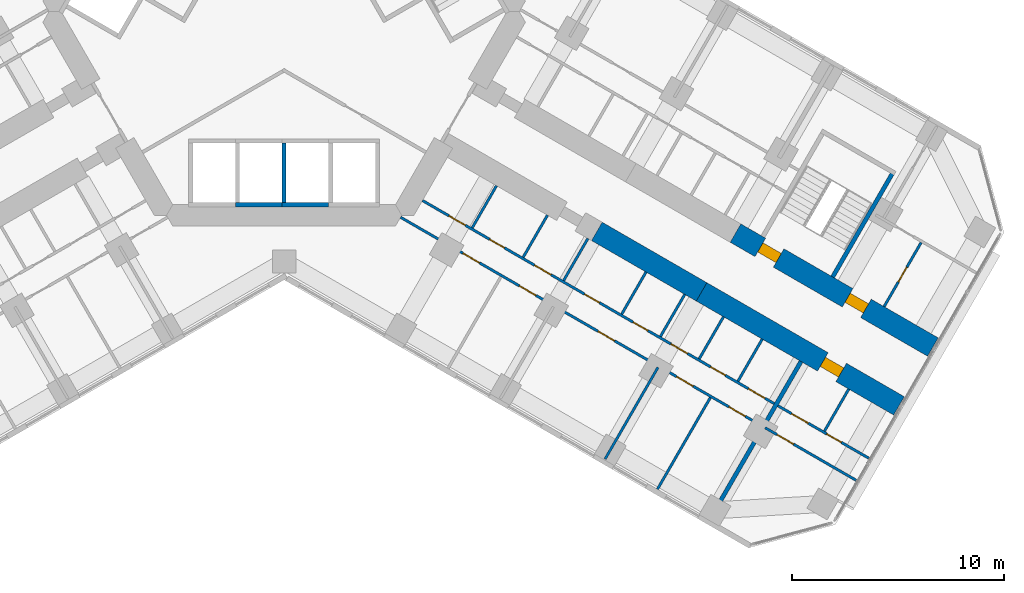
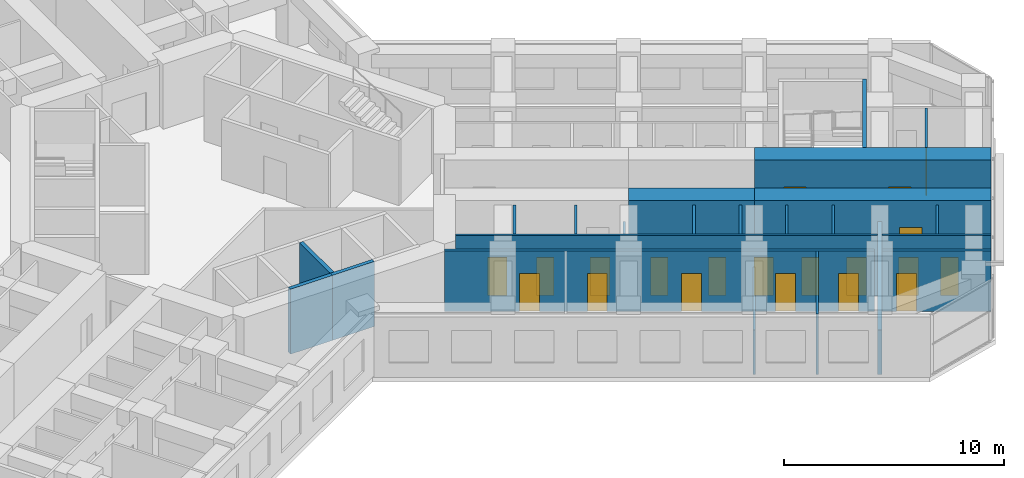
# One storey, part 12 of 18: 23 walls, 20 doors, 20 openings.
"""IFC4 building model written with IfcOpenShell, lengths in metres."""

from ifc_helpers import new_model, si_unit, direction, frame, frame_2d, origin, place, context, subcontext, project, spatial, rectangle, extrude, material, layer, layer_set, type_object, element, fill, save


model = new_model("IFC4")

# Units and contexts
model_context = context("Model", 3, precision=1e-05, world=origin(), true_north=direction((0.0, 1.0)))
body_context = subcontext(model_context, "Body", "Model", "MODEL_VIEW")
ifc_project = project(units=[si_unit("LENGTHUNIT", "METRE"), si_unit("AREAUNIT", "SQUARE_METRE"), si_unit("VOLUMEUNIT", "CUBIC_METRE"), si_unit("PLANEANGLEUNIT", "RADIAN"), si_unit("MASSUNIT", "GRAM", prefix="KILO")], contexts=[model_context])

# Site, building, storey
site_placement = place(None, origin())
site = spatial("IfcSite", under=ifc_project, at=site_placement, CompositionType="ELEMENT")
building_placement = place(site_placement, origin())
building = spatial("IfcBuilding", under=site, at=building_placement, Name="Kosmar Iwan School Tower", CompositionType="ELEMENT")
storey_placement = place(building_placement, frame((0.0, 0.0, 25.199951171875)))
storey = spatial("IfcBuildingStorey", under=building, at=storey_placement, Name="L05", CompositionType="ELEMENT", Elevation=25.199951171875)

# Wall, openings, doors
ifc_material_1 = material(Name="Concrete C50/60", Category="concrete")
ifc_layer_1 = layer(ifc_material_1, 1.0)
ifc_layer_set_1 = layer_set([ifc_layer_1], Name="Corridor buttress wall 1000")
wall_type_1 = type_object("IfcWallType", Name="Corridor buttress wall 1000", PredefinedType="SHEAR", material=ifc_layer_set_1)
wall_1_placement = place(storey_placement, frame((21.281494140625, -10.439453125, 0.0), z_axis=(0.0, 0.0, 1.0), x_axis=(0.866032345022, -0.499987977232, 0.0)))
wall_1 = element("IfcWall", 1, at=wall_1_placement, inside=storey, type_object=wall_type_1, Name="Corridor wall CL bay 3", PredefinedType="SHEAR", context=body_context, shape_type="SweptSolid", body=[
    extrude(rectangle(XDim=10.744873046875, YDim=1.0, at=frame_2d((5.37255859375, 0.0))), origin(), (0.0, 0.0, 1.0), 3.60009765625),
])
opening_1_placement = place(wall_1_placement, frame((6.10009765625, 0.0, 0.0)))
opening_1 = element("IfcOpeningElement", 2, at=opening_1_placement, cuts=wall_1, Name="Opening D1", PredefinedType="OPENING", context=body_context, shape_type="SweptSolid", body=[
    extrude(rectangle(XDim=1.0, YDim=2.10009765625, at=frame_2d((0.5, 1.050048828125))), frame((0.0, 0.511962890625, 0.0), z_axis=(0.0, -1.0, 0.0), x_axis=(1.0, 0.0, 0.0)), (0.0, 0.0, 1.0), 1.02392578125),
])
opening_2_placement = place(wall_1_placement, frame((1.35009765625, 0.0, 0.0)))
opening_2 = element("IfcOpeningElement", 3, at=opening_2_placement, cuts=wall_1, Name="Opening D6", PredefinedType="OPENING", context=body_context, shape_type="SweptSolid", body=[
    extrude(rectangle(XDim=1.0, YDim=2.10009765625, at=frame_2d((0.5, 1.050048828125))), frame((0.0, 0.511962890625, 0.0), z_axis=(0.0, -1.0, 0.0), x_axis=(1.0, 0.0, 0.0)), (0.0, 0.0, 1.0), 1.02392578125),
])
ifc_material_2 = material(Name="Timber fire door in steel frame", Category="steel")
door_type_1 = type_object("IfcDoorType", Name="Flat entrance door 1000x2100", OperationType="SINGLE_SWING_LEFT", PredefinedType="DOOR", material=ifc_material_2)
door_1_placement = place(opening_1_placement, origin())
door_1 = element("IfcDoor", 4, at=door_1_placement, inside=storey, type_object=door_type_1, Name="Flat L05-CL2 entrance door", OperationType="SINGLE_SWING_RIGHT", OverallHeight=2.10009765625, OverallWidth=1.0, PredefinedType="DOOR", context=body_context, shape_type="SweptSolid", body=[
    extrude(rectangle(XDim=1.0, YDim=2.10009765625, at=frame_2d((0.5, 1.050048828125))), frame((0.0, 0.25, 0.0), z_axis=(0.0, -1.0, 0.0), x_axis=(1.0, 0.0, 0.0)), (0.0, 0.0, 1.0), 0.5),
])
fill(opening_1, door_1)
ifc_material_3 = material(Name="Steel fire door", Category="steel")
door_type_2 = type_object("IfcDoorType", Name="Stair door 1000x2100", OperationType="SINGLE_SWING_LEFT", PredefinedType="DOOR", material=ifc_material_3)
door_2_placement = place(opening_2_placement, origin())
door_2 = element("IfcDoor", 5, at=door_2_placement, inside=storey, type_object=door_type_2, Name="Stair WS3 door L05", OperationType="SINGLE_SWING_LEFT", OverallHeight=2.10009765625, OverallWidth=1.0, PredefinedType="DOOR", context=body_context, shape_type="SweptSolid", body=[
    extrude(rectangle(XDim=1.0, YDim=2.10009765625, at=frame_2d((0.5, 1.050048828125))), frame((0.0, 0.25, 0.0), z_axis=(0.0, -1.0, 0.0), x_axis=(1.0, 0.0, 0.0)), (0.0, 0.0, 1.0), 0.5),
])
fill(opening_2, door_2)

# Wall
wall_2_placement = place(storey_placement, frame((14.7451171875, -10.360595703125, 0.0), z_axis=(0.0, 0.0, 1.0), x_axis=(0.866015111908, -0.50001782563, 0.0)))
element("IfcWall", 6, at=wall_2_placement, inside=storey, type_object=wall_type_1, Name="Corridor wall CR bay 2", PredefinedType="SHEAR", context=body_context, shape_type="SweptSolid", body=[
    extrude(rectangle(XDim=5.699951171875, YDim=1.0, at=frame_2d((2.85009765625, 0.0))), origin(), (0.0, 0.0, 1.0), 3.60009765625),
])

# Wall, opening, door
wall_3_placement = place(storey_placement, frame((19.681396484375, -13.210693359375, 0.0), z_axis=(0.0, 0.0, 1.0), x_axis=(0.866028186671, -0.499995179869, 0.0)))
wall_3 = element("IfcWall", 7, at=wall_3_placement, inside=storey, type_object=wall_type_1, Name="Corridor wall CR bay 3", PredefinedType="SHEAR", context=body_context, shape_type="SweptSolid", body=[
    extrude(rectangle(XDim=10.7451171875, YDim=1.0, at=frame_2d((5.37255859375, 0.0))), origin(), (0.0, 0.0, 1.0), 3.60009765625),
])
opening_3_placement = place(wall_3_placement, frame((6.60009765625, 0.0, 0.0)))
opening_3 = element("IfcOpeningElement", 8, at=opening_3_placement, cuts=wall_3, Name="Opening D1", PredefinedType="OPENING", context=body_context, shape_type="SweptSolid", body=[
    extrude(rectangle(XDim=1.0, YDim=2.10009765625, at=frame_2d((0.5, 1.050048828125))), frame((0.0, 0.511962890625, 0.0), z_axis=(0.0, -1.0, 0.0), x_axis=(1.0, 0.0, 0.0)), (0.0, 0.0, 1.0), 1.02392578125),
])
door_3_placement = place(opening_3_placement, origin())
door_3 = element("IfcDoor", 9, at=door_3_placement, inside=storey, type_object=door_type_1, Name="Flat L05-CR2 entrance door", OperationType="SINGLE_SWING_RIGHT", OverallHeight=2.10009765625, OverallWidth=1.0, PredefinedType="DOOR", context=body_context, shape_type="SweptSolid", body=[
    extrude(rectangle(XDim=1.0, YDim=2.10009765625, at=frame_2d((0.5, 1.050048828125))), frame((0.0, 0.25, 0.0), z_axis=(0.0, -1.0, 0.0), x_axis=(1.0, 0.0, 0.0)), (0.0, 0.0, 1.0), 0.5),
])
fill(opening_3, door_3)

ifc_material_4 = material(Name="Gypsum board on steel studs", Category="steel")
ifc_layer_2 = layer(ifc_material_4, 0.1201171875)
ifc_layer_set_2 = layer_set([ifc_layer_2], Name="Dwelling partition 120")
wall_type_2 = type_object("IfcWallType", Name="Dwelling partition 120", PredefinedType="PARTITIONING", material=ifc_layer_set_2)
wall_4_placement = place(storey_placement, frame((28.286376953125, -13.90625, 0.0), z_axis=(0.0, 0.0, 1.0), x_axis=(0.50002117804, 0.866013176292, 0.0)))
wall_4 = element("IfcWall", 10, at=wall_4_placement, inside=storey, type_object=wall_type_2, Name="Partition L05-CL2-TY", PredefinedType="PARTITIONING", context=body_context, shape_type="SweptSolid", body=[
    extrude(rectangle(XDim=3.489990234375, YDim=0.1201171875, at=frame_2d((1.7451171875, 0.0))), origin(), (0.0, 0.0, 1.0), 3.35009765625),
])
opening_4_placement = place(wall_4_placement, frame((1.344970703125, 0.0, 0.0)))
opening_4 = element("IfcOpeningElement", 11, at=opening_4_placement, cuts=wall_4, Name="Opening D3", PredefinedType="OPENING", context=body_context, shape_type="SweptSolid", body=[
    extrude(rectangle(XDim=0.800048828125, YDim=2.10009765625, at=frame_2d((0.39990234375, 1.050048828125))), frame((0.0, 0.072021484375, 0.0), z_axis=(0.0, -1.0, 0.0), x_axis=(1.0, 0.0, 0.0)), (0.0, 0.0, 1.0), 0.14404296875),
])
ifc_material_5 = material(Name="Timber door in timber frame", Category="wood")
door_type_3 = type_object("IfcDoorType", Name="Sanitary room door 800x2100", OperationType="SINGLE_SWING_LEFT", PredefinedType="DOOR", material=ifc_material_5)
door_4_placement = place(opening_4_placement, origin())
door_4 = element("IfcDoor", 12, at=door_4_placement, inside=storey, type_object=door_type_3, Name="Bathroom door L05-CL2-T4", OperationType="SINGLE_SWING_LEFT", OverallHeight=2.10009765625, OverallWidth=0.800048828125, PredefinedType="DOOR", context=body_context, shape_type="SweptSolid", body=[
    extrude(rectangle(XDim=0.800048828125, YDim=2.10009765625, at=frame_2d((0.39990234375, 1.050048828125))), frame((0.0, 0.02490234375, 0.0), z_axis=(0.0, -1.0, 0.0), x_axis=(1.0, 0.0, 0.0)), (0.0, 0.0, 1.0), 0.050048828125),
])
fill(opening_4, door_4)

# Wall, openings, doors
wall_5_placement = place(storey_placement, frame((6.521728515625, -8.90380859375, 0.0), z_axis=(0.0, 0.0, 1.0), x_axis=(0.866027632837, -0.499996139147, 0.0)))
wall_5 = element("IfcWall", 13, at=wall_5_placement, inside=storey, type_object=wall_type_2, Name="Partition L05-CR1-W1", PredefinedType="PARTITIONING", context=body_context, shape_type="SweptSolid", body=[
    extrude(rectangle(XDim=19.150146484375, YDim=0.1201171875, at=frame_2d((9.5751953125, 0.0))), origin(), (0.0, 0.0, 1.0), 3.35009765625),
])
opening_5_placement = place(wall_5_placement, frame((1.4375, 0.0, 0.0)))
opening_5 = element("IfcOpeningElement", 14, at=opening_5_placement, cuts=wall_5, Name="Opening D2", PredefinedType="OPENING", context=body_context, shape_type="SweptSolid", body=[
    extrude(rectangle(XDim=0.89990234375, YDim=2.10009765625, at=frame_2d((0.449951171875, 1.050048828125))), frame((0.0, 0.072021484375, 0.0), z_axis=(0.0, -1.0, 0.0), x_axis=(1.0, 0.0, 0.0)), (0.0, 0.0, 1.0), 0.14404296875),
])
opening_6_placement = place(wall_5_placement, frame((3.66259765625, 0.0, 0.0)))
opening_6 = element("IfcOpeningElement", 15, at=opening_6_placement, cuts=wall_5, Name="Opening D3", PredefinedType="OPENING", context=body_context, shape_type="SweptSolid", body=[
    extrude(rectangle(XDim=0.800048828125, YDim=2.10009765625, at=frame_2d((0.39990234375, 1.050048828125))), frame((0.0, 0.072021484375, 0.0), z_axis=(0.0, -1.0, 0.0), x_axis=(1.0, 0.0, 0.0)), (0.0, 0.0, 1.0), 0.14404296875),
])
opening_7_placement = place(wall_5_placement, frame((6.10009765625, 0.0, 0.0)))
opening_7 = element("IfcOpeningElement", 16, at=opening_7_placement, cuts=wall_5, Name="Opening D2", PredefinedType="OPENING", context=body_context, shape_type="SweptSolid", body=[
    extrude(rectangle(XDim=0.89990234375, YDim=2.10009765625, at=frame_2d((0.449951171875, 1.050048828125))), frame((0.0, 0.072021484375, 0.0), z_axis=(0.0, -1.0, 0.0), x_axis=(1.0, 0.0, 0.0)), (0.0, 0.0, 1.0), 0.14404296875),
])
opening_8_placement = place(wall_5_placement, frame((8.831787109375, 0.0, 0.0)))
opening_8 = element("IfcOpeningElement", 17, at=opening_8_placement, cuts=wall_5, Name="Opening D3", PredefinedType="OPENING", context=body_context, shape_type="SweptSolid", body=[
    extrude(rectangle(XDim=0.800048828125, YDim=2.10009765625, at=frame_2d((0.39990234375, 1.050048828125))), frame((0.0, 0.072021484375, 0.0), z_axis=(0.0, -1.0, 0.0), x_axis=(1.0, 0.0, 0.0)), (0.0, 0.0, 1.0), 0.14404296875),
])
opening_9_placement = place(wall_5_placement, frame((11.46826171875, 0.0, 0.0)))
opening_9 = element("IfcOpeningElement", 18, at=opening_9_placement, cuts=wall_5, Name="Opening D3", PredefinedType="OPENING", context=body_context, shape_type="SweptSolid", body=[
    extrude(rectangle(XDim=0.800048828125, YDim=2.10009765625, at=frame_2d((0.39990234375, 1.050048828125))), frame((0.0, 0.072021484375, 0.0), z_axis=(0.0, -1.0, 0.0), x_axis=(1.0, 0.0, 0.0)), (0.0, 0.0, 1.0), 0.14404296875),
])
opening_10_placement = place(wall_5_placement, frame((13.52734375, 0.0, 0.0)))
opening_10 = element("IfcOpeningElement", 19, at=opening_10_placement, cuts=wall_5, Name="Opening D2", PredefinedType="OPENING", context=body_context, shape_type="SweptSolid", body=[
    extrude(rectangle(XDim=0.89990234375, YDim=2.10009765625, at=frame_2d((0.449951171875, 1.050048828125))), frame((0.0, 0.072021484375, 0.0), z_axis=(0.0, -1.0, 0.0), x_axis=(1.0, 0.0, 0.0)), (0.0, 0.0, 1.0), 0.14404296875),
])
opening_11_placement = place(wall_5_placement, frame((15.686279296875, 0.0, 0.0)))
opening_11 = element("IfcOpeningElement", 20, at=opening_11_placement, cuts=wall_5, Name="Opening D3", PredefinedType="OPENING", context=body_context, shape_type="SweptSolid", body=[
    extrude(rectangle(XDim=0.800048828125, YDim=2.10009765625, at=frame_2d((0.39990234375, 1.050048828125))), frame((0.0, 0.072021484375, 0.0), z_axis=(0.0, -1.0, 0.0), x_axis=(1.0, 0.0, 0.0)), (0.0, 0.0, 1.0), 0.14404296875),
])
opening_12_placement = place(wall_5_placement, frame((17.745361328125, 0.0, 0.0)))
opening_12 = element("IfcOpeningElement", 21, at=opening_12_placement, cuts=wall_5, Name="Opening D2", PredefinedType="OPENING", context=body_context, shape_type="SweptSolid", body=[
    extrude(rectangle(XDim=0.89990234375, YDim=2.10009765625, at=frame_2d((0.449951171875, 1.050048828125))), frame((0.0, 0.072021484375, 0.0), z_axis=(0.0, -1.0, 0.0), x_axis=(1.0, 0.0, 0.0)), (0.0, 0.0, 1.0), 0.14404296875),
])
ifc_material_6 = material(Name="Timber door in timber frame", Category="wood")
door_type_4 = type_object("IfcDoorType", Name="Internal door 900x2100", OperationType="SINGLE_SWING_LEFT", PredefinedType="DOOR", material=ifc_material_6)
door_5_placement = place(opening_5_placement, origin())
door_5 = element("IfcDoor", 22, at=door_5_placement, inside=storey, type_object=door_type_4, Name="Dressing room door L05-CR1-S1", OperationType="SINGLE_SWING_RIGHT", OverallHeight=2.10009765625, OverallWidth=0.89990234375, PredefinedType="DOOR", context=body_context, shape_type="SweptSolid", body=[
    extrude(rectangle(XDim=0.89990234375, YDim=2.10009765625, at=frame_2d((0.449951171875, 1.050048828125))), frame((0.0, 0.02490234375, 0.0), z_axis=(0.0, -1.0, 0.0), x_axis=(1.0, 0.0, 0.0)), (0.0, 0.0, 1.0), 0.050048828125),
])
fill(opening_5, door_5)
door_6_placement = place(opening_7_placement, origin())
door_6 = element("IfcDoor", 23, at=door_6_placement, inside=storey, type_object=door_type_4, Name="Entrance hall door L05-CR1-S3", OperationType="SINGLE_SWING_RIGHT", OverallHeight=2.10009765625, OverallWidth=0.89990234375, PredefinedType="DOOR", context=body_context, shape_type="SweptSolid", body=[
    extrude(rectangle(XDim=0.89990234375, YDim=2.10009765625, at=frame_2d((0.449951171875, 1.050048828125))), frame((0.0, 0.02490234375, 0.0), z_axis=(0.0, -1.0, 0.0), x_axis=(1.0, 0.0, 0.0)), (0.0, 0.0, 1.0), 0.050048828125),
])
fill(opening_7, door_6)
door_7_placement = place(opening_10_placement, origin())
door_7 = element("IfcDoor", 24, at=door_7_placement, inside=storey, type_object=door_type_4, Name="Pantry door L05-CR1-S6", OperationType="SINGLE_SWING_LEFT", OverallHeight=2.10009765625, OverallWidth=0.89990234375, PredefinedType="DOOR", context=body_context, shape_type="SweptSolid", body=[
    extrude(rectangle(XDim=0.89990234375, YDim=2.10009765625, at=frame_2d((0.449951171875, 1.050048828125))), frame((0.0, 0.02490234375, 0.0), z_axis=(0.0, -1.0, 0.0), x_axis=(1.0, 0.0, 0.0)), (0.0, 0.0, 1.0), 0.050048828125),
])
fill(opening_10, door_7)
door_8_placement = place(opening_12_placement, origin())
door_8 = element("IfcDoor", 25, at=door_8_placement, inside=storey, type_object=door_type_4, Name="Utility room door L05-CR1-S8", OperationType="SINGLE_SWING_RIGHT", OverallHeight=2.10009765625, OverallWidth=0.89990234375, PredefinedType="DOOR", context=body_context, shape_type="SweptSolid", body=[
    extrude(rectangle(XDim=0.89990234375, YDim=2.10009765625, at=frame_2d((0.449951171875, 1.050048828125))), frame((0.0, 0.02490234375, 0.0), z_axis=(0.0, -1.0, 0.0), x_axis=(1.0, 0.0, 0.0)), (0.0, 0.0, 1.0), 0.050048828125),
])
fill(opening_12, door_8)
door_9_placement = place(opening_6_placement, origin())
door_9 = element("IfcDoor", 26, at=door_9_placement, inside=storey, type_object=door_type_3, Name="Store door L05-CR1-S2", OperationType="SINGLE_SWING_LEFT", OverallHeight=2.10009765625, OverallWidth=0.800048828125, PredefinedType="DOOR", context=body_context, shape_type="SweptSolid", body=[
    extrude(rectangle(XDim=0.800048828125, YDim=2.10009765625, at=frame_2d((0.39990234375, 1.050048828125))), frame((0.0, 0.02490234375, 0.0), z_axis=(0.0, -1.0, 0.0), x_axis=(1.0, 0.0, 0.0)), (0.0, 0.0, 1.0), 0.050048828125),
])
fill(opening_6, door_9)
door_10_placement = place(opening_8_placement, origin())
door_10 = element("IfcDoor", 27, at=door_10_placement, inside=storey, type_object=door_type_3, Name="Bathroom door L05-CR1-S4", OperationType="SINGLE_SWING_LEFT", OverallHeight=2.10009765625, OverallWidth=0.800048828125, PredefinedType="DOOR", context=body_context, shape_type="SweptSolid", body=[
    extrude(rectangle(XDim=0.800048828125, YDim=2.10009765625, at=frame_2d((0.39990234375, 1.050048828125))), frame((0.0, 0.02490234375, 0.0), z_axis=(0.0, -1.0, 0.0), x_axis=(1.0, 0.0, 0.0)), (0.0, 0.0, 1.0), 0.050048828125),
])
fill(opening_8, door_10)
door_11_placement = place(opening_9_placement, origin())
door_11 = element("IfcDoor", 28, at=door_11_placement, inside=storey, type_object=door_type_3, Name="Shower room door L05-CR1-S5", OperationType="SINGLE_SWING_RIGHT", OverallHeight=2.10009765625, OverallWidth=0.800048828125, PredefinedType="DOOR", context=body_context, shape_type="SweptSolid", body=[
    extrude(rectangle(XDim=0.800048828125, YDim=2.10009765625, at=frame_2d((0.39990234375, 1.050048828125))), frame((0.0, 0.02490234375, 0.0), z_axis=(0.0, -1.0, 0.0), x_axis=(1.0, 0.0, 0.0)), (0.0, 0.0, 1.0), 0.050048828125),
])
fill(opening_9, door_11)
door_12_placement = place(opening_11_placement, origin())
door_12 = element("IfcDoor", 29, at=door_12_placement, inside=storey, type_object=door_type_3, Name="WC door L05-CR1-S7", OperationType="SINGLE_SWING_RIGHT", OverallHeight=2.10009765625, OverallWidth=0.800048828125, PredefinedType="DOOR", context=body_context, shape_type="SweptSolid", body=[
    extrude(rectangle(XDim=0.800048828125, YDim=2.10009765625, at=frame_2d((0.39990234375, 1.050048828125))), frame((0.0, 0.02490234375, 0.0), z_axis=(0.0, -1.0, 0.0), x_axis=(1.0, 0.0, 0.0)), (0.0, 0.0, 1.0), 0.050048828125),
])
fill(opening_11, door_12)

wall_6_placement = place(storey_placement, frame((5.48876953125, -9.693115234375, 0.0), z_axis=(0.0, 0.0, 1.0), x_axis=(0.866024837091, -0.50000098154, 0.0)))
wall_6 = element("IfcWall", 30, at=wall_6_placement, inside=storey, type_object=wall_type_2, Name="Partition L05-CR1-W2", PredefinedType="PARTITIONING", context=body_context, shape_type="SweptSolid", body=[
    extrude(rectangle(XDim=19.5, YDim=0.1201171875, at=frame_2d((9.75, 0.0))), origin(), (0.0, 0.0, 1.0), 3.35009765625),
])
opening_13_placement = place(wall_6_placement, frame((3.39990234375, 0.0, 0.0)))
opening_13 = element("IfcOpeningElement", 31, at=opening_13_placement, cuts=wall_6, Name="Opening D2", PredefinedType="OPENING", context=body_context, shape_type="SweptSolid", body=[
    extrude(rectangle(XDim=0.89990234375, YDim=2.10009765625, at=frame_2d((0.449951171875, 1.050048828125))), frame((0.0, 0.072021484375, 0.0), z_axis=(0.0, -1.0, 0.0), x_axis=(1.0, 0.0, 0.0)), (0.0, 0.0, 1.0), 0.14404296875),
])
opening_14_placement = place(wall_6_placement, frame((6.47509765625, 0.0, 0.0)))
opening_14 = element("IfcOpeningElement", 32, at=opening_14_placement, cuts=wall_6, Name="Opening D2", PredefinedType="OPENING", context=body_context, shape_type="SweptSolid", body=[
    extrude(rectangle(XDim=0.89990234375, YDim=2.10009765625, at=frame_2d((0.449951171875, 1.050048828125))), frame((0.0, 0.072021484375, 0.0), z_axis=(0.0, -1.0, 0.0), x_axis=(1.0, 0.0, 0.0)), (0.0, 0.0, 1.0), 0.14404296875),
])
opening_15_placement = place(wall_6_placement, frame((10.75, 0.0, 0.0)))
opening_15 = element("IfcOpeningElement", 33, at=opening_15_placement, cuts=wall_6, Name="Opening D2", PredefinedType="OPENING", context=body_context, shape_type="SweptSolid", body=[
    extrude(rectangle(XDim=0.89990234375, YDim=2.10009765625, at=frame_2d((0.449951171875, 1.050048828125))), frame((0.0, 0.072021484375, 0.0), z_axis=(0.0, -1.0, 0.0), x_axis=(1.0, 0.0, 0.0)), (0.0, 0.0, 1.0), 0.14404296875),
])
opening_16_placement = place(wall_6_placement, frame((15.02490234375, 0.0, 0.0)))
opening_16 = element("IfcOpeningElement", 34, at=opening_16_placement, cuts=wall_6, Name="Opening D2", PredefinedType="OPENING", context=body_context, shape_type="SweptSolid", body=[
    extrude(rectangle(XDim=0.89990234375, YDim=2.10009765625, at=frame_2d((0.449951171875, 1.050048828125))), frame((0.0, 0.072021484375, 0.0), z_axis=(0.0, -1.0, 0.0), x_axis=(1.0, 0.0, 0.0)), (0.0, 0.0, 1.0), 0.14404296875),
])
opening_17_placement = place(wall_6_placement, frame((17.875, 0.0, 0.0)))
opening_17 = element("IfcOpeningElement", 35, at=opening_17_placement, cuts=wall_6, Name="Opening D2", PredefinedType="OPENING", context=body_context, shape_type="SweptSolid", body=[
    extrude(rectangle(XDim=0.89990234375, YDim=2.10009765625, at=frame_2d((0.449951171875, 1.050048828125))), frame((0.0, 0.072021484375, 0.0), z_axis=(0.0, -1.0, 0.0), x_axis=(1.0, 0.0, 0.0)), (0.0, 0.0, 1.0), 0.14404296875),
])
door_13_placement = place(opening_13_placement, origin())
door_13 = element("IfcDoor", 36, at=door_13_placement, inside=storey, type_object=door_type_4, Name="Living room and kitchen door L05-CR1-F1", OperationType="SINGLE_SWING_LEFT", OverallHeight=2.10009765625, OverallWidth=0.89990234375, PredefinedType="DOOR", context=body_context, shape_type="SweptSolid", body=[
    extrude(rectangle(XDim=0.89990234375, YDim=2.10009765625, at=frame_2d((0.449951171875, 1.050048828125))), frame((0.0, 0.02490234375, 0.0), z_axis=(0.0, -1.0, 0.0), x_axis=(1.0, 0.0, 0.0)), (0.0, 0.0, 1.0), 0.050048828125),
])
fill(opening_13, door_13)
door_14_placement = place(opening_14_placement, origin())
door_14 = element("IfcDoor", 37, at=door_14_placement, inside=storey, type_object=door_type_4, Name="Bedroom 1 door L05-CR1-F2", OperationType="SINGLE_SWING_LEFT", OverallHeight=2.10009765625, OverallWidth=0.89990234375, PredefinedType="DOOR", context=body_context, shape_type="SweptSolid", body=[
    extrude(rectangle(XDim=0.89990234375, YDim=2.10009765625, at=frame_2d((0.449951171875, 1.050048828125))), frame((0.0, 0.02490234375, 0.0), z_axis=(0.0, -1.0, 0.0), x_axis=(1.0, 0.0, 0.0)), (0.0, 0.0, 1.0), 0.050048828125),
])
fill(opening_14, door_14)
door_15_placement = place(opening_15_placement, origin())
door_15 = element("IfcDoor", 38, at=door_15_placement, inside=storey, type_object=door_type_4, Name="Bedroom 2 door L05-CR1-F3", OperationType="SINGLE_SWING_RIGHT", OverallHeight=2.10009765625, OverallWidth=0.89990234375, PredefinedType="DOOR", context=body_context, shape_type="SweptSolid", body=[
    extrude(rectangle(XDim=0.89990234375, YDim=2.10009765625, at=frame_2d((0.449951171875, 1.050048828125))), frame((0.0, 0.02490234375, 0.0), z_axis=(0.0, -1.0, 0.0), x_axis=(1.0, 0.0, 0.0)), (0.0, 0.0, 1.0), 0.050048828125),
])
fill(opening_15, door_15)
door_16_placement = place(opening_16_placement, origin())
door_16 = element("IfcDoor", 39, at=door_16_placement, inside=storey, type_object=door_type_4, Name="Study door L05-CR1-F4", OperationType="SINGLE_SWING_RIGHT", OverallHeight=2.10009765625, OverallWidth=0.89990234375, PredefinedType="DOOR", context=body_context, shape_type="SweptSolid", body=[
    extrude(rectangle(XDim=0.89990234375, YDim=2.10009765625, at=frame_2d((0.449951171875, 1.050048828125))), frame((0.0, 0.02490234375, 0.0), z_axis=(0.0, -1.0, 0.0), x_axis=(1.0, 0.0, 0.0)), (0.0, 0.0, 1.0), 0.050048828125),
])
fill(opening_16, door_16)
door_17_placement = place(opening_17_placement, origin())
door_17 = element("IfcDoor", 40, at=door_17_placement, inside=storey, type_object=door_type_4, Name="Bedroom 3 door L05-CR1-F5", OperationType="SINGLE_SWING_RIGHT", OverallHeight=2.10009765625, OverallWidth=0.89990234375, PredefinedType="DOOR", context=body_context, shape_type="SweptSolid", body=[
    extrude(rectangle(XDim=0.89990234375, YDim=2.10009765625, at=frame_2d((0.449951171875, 1.050048828125))), frame((0.0, 0.02490234375, 0.0), z_axis=(0.0, -1.0, 0.0), x_axis=(1.0, 0.0, 0.0)), (0.0, 0.0, 1.0), 0.050048828125),
])
fill(opening_17, door_17)

# Walls
wall_7_placement = place(storey_placement, frame((17.62646484375, -16.77001953125, 0.0), z_axis=(0.0, 0.0, 1.0), x_axis=(-0.499975153383, -0.86603974851, 0.0)))
element("IfcWall", 41, at=wall_7_placement, inside=storey, type_object=wall_type_2, Name="Partition L05-CR1-X3", PredefinedType="PARTITIONING", context=body_context, shape_type="SweptSolid", body=[
    extrude(rectangle(XDim=4.989990234375, YDim=0.1201171875, at=frame_2d((2.4951171875, 0.0))), origin(), (0.0, 0.0, 1.0), 2.449951171875),
])
wall_8_placement = place(storey_placement, frame((20.0947265625, -18.195068359375, 0.0), z_axis=(0.0, 0.0, 1.0), x_axis=(-0.500011847778, -0.866018563358, 0.0)))
element("IfcWall", 42, at=wall_8_placement, inside=storey, type_object=wall_type_2, Name="Partition L05-CR1-X4", PredefinedType="PARTITIONING", context=body_context, shape_type="SweptSolid", body=[
    extrude(rectangle(XDim=4.990234375, YDim=0.1201171875, at=frame_2d((2.4951171875, 0.0))), origin(), (0.0, 0.0, 1.0), 3.35009765625),
])
wall_9_placement = place(storey_placement, frame((10.013427734375, -8.2060546875, 0.0), z_axis=(0.0, 0.0, 1.0), x_axis=(-0.499968531483, -0.866043571379, 0.0)))
element("IfcWall", 43, at=wall_9_placement, inside=storey, type_object=wall_type_2, Name="Partition L05-CR1-Y1", PredefinedType="PARTITIONING", context=body_context, shape_type="SweptSolid", body=[
    extrude(rectangle(XDim=2.290283203125, YDim=0.1201171875, at=frame_2d((1.14501953125, 0.0))), origin(), (0.0, 0.0, 1.0), 3.35009765625),
])
wall_10_placement = place(storey_placement, frame((12.416748046875, -9.59375, 0.0), z_axis=(0.0, 0.0, 1.0), x_axis=(-0.500014693593, -0.866016920268, 0.0)))
element("IfcWall", 44, at=wall_10_placement, inside=storey, type_object=wall_type_2, Name="Partition L05-CR1-Y2", PredefinedType="PARTITIONING", context=body_context, shape_type="SweptSolid", body=[
    extrude(rectangle(XDim=2.2900390625, YDim=0.1201171875, at=frame_2d((1.14501953125, 0.0))), origin(), (0.0, 0.0, 1.0), 3.35009765625),
])
wall_11_placement = place(storey_placement, frame((14.322021484375, -10.693603515625, 0.0), z_axis=(0.0, 0.0, 1.0), x_axis=(-0.500014693593, -0.866016920268, 0.0)))
element("IfcWall", 45, at=wall_11_placement, inside=storey, type_object=wall_type_2, Name="Partition L05-CR1-Y3", PredefinedType="PARTITIONING", context=body_context, shape_type="SweptSolid", body=[
    extrude(rectangle(XDim=2.2900390625, YDim=0.1201171875, at=frame_2d((1.14501953125, 0.0))), origin(), (0.0, 0.0, 1.0), 2.449951171875),
])
wall_12_placement = place(storey_placement, frame((17.061767578125, -12.275390625, 0.0), z_axis=(0.0, 0.0, 1.0), x_axis=(-0.499968531483, -0.866043571379, 0.0)))
element("IfcWall", 46, at=wall_12_placement, inside=storey, type_object=wall_type_2, Name="Partition L05-CR1-Y4", PredefinedType="PARTITIONING", context=body_context, shape_type="SweptSolid", body=[
    extrude(rectangle(XDim=2.290283203125, YDim=0.1201171875, at=frame_2d((1.14501953125, 0.0))), origin(), (0.0, 0.0, 1.0), 3.35009765625),
])
for number, where, z_axis, x_axis, name in (
    (47, (18.88818359375, -13.330078125, 0.0), (0.0, 0.0, 1.0), (-0.500014693593, -0.866016920268, 0.0), "Partition L05-CR1-Y5"),
    (48, (20.71484375, -14.384521484375, 0.0), (0.0, 0.0, 1.0), (-0.500014693593, -0.866016920268, 0.0), "Partition L05-CR1-Y6"),
    (49, (22.541259765625, -15.439208984375, 0.0), (0.0, 0.0, 1.0), (-0.500014693593, -0.866016920268, 0.0), "Partition L05-CR1-Y7"),
):
    element("IfcWall", number, at=place(storey_placement, frame(where, z_axis=z_axis, x_axis=x_axis)), inside=storey, type_object=wall_type_2, Name=name, PredefinedType="PARTITIONING", context=body_context, shape_type="SweptSolid", body=[
        extrude(rectangle(XDim=2.2900390625, YDim=0.1201171875, at=frame_2d((1.14501953125, 0.0))), origin(), (0.0, 0.0, 1.0), 3.35009765625),
    ])

# Wall, openings, doors
wall_13_placement = place(storey_placement, frame((23.279541015625, -18.578857421875, 0.0), z_axis=(0.0, 0.0, 1.0), x_axis=(0.866031840221, -0.4999888516, 0.0)))
wall_13 = element("IfcWall", 50, at=wall_13_placement, inside=storey, type_object=wall_type_2, Name="Partition L05-CR2-W1", PredefinedType="PARTITIONING", context=body_context, shape_type="SweptSolid", body=[
    extrude(rectangle(XDim=4.94482421875, YDim=0.1201171875, at=frame_2d((2.472412109375, 0.0))), origin(), (0.0, 0.0, 1.0), 3.35009765625),
])
opening_18_placement = place(wall_13_placement, frame((0.75, 0.0, 0.0)))
opening_18 = element("IfcOpeningElement", 51, at=opening_18_placement, cuts=wall_13, Name="Opening D2", PredefinedType="OPENING", context=body_context, shape_type="SweptSolid", body=[
    extrude(rectangle(XDim=0.89990234375, YDim=2.10009765625, at=frame_2d((0.449951171875, 1.050048828125))), frame((0.0, 0.072021484375, 0.0), z_axis=(0.0, -1.0, 0.0), x_axis=(1.0, 0.0, 0.0)), (0.0, 0.0, 1.0), 0.14404296875),
])
opening_19_placement = place(wall_13_placement, frame((2.659912109375, 0.0, 0.0)))
opening_19 = element("IfcOpeningElement", 52, at=opening_19_placement, cuts=wall_13, Name="Opening D3", PredefinedType="OPENING", context=body_context, shape_type="SweptSolid", body=[
    extrude(rectangle(XDim=0.800048828125, YDim=2.10009765625, at=frame_2d((0.39990234375, 1.050048828125))), frame((0.0, 0.072021484375, 0.0), z_axis=(0.0, -1.0, 0.0), x_axis=(1.0, 0.0, 0.0)), (0.0, 0.0, 1.0), 0.14404296875),
])
door_18_placement = place(opening_18_placement, origin())
door_18 = element("IfcDoor", 53, at=door_18_placement, inside=storey, type_object=door_type_4, Name="Entrance hall door L05-CR2-S1", OperationType="SINGLE_SWING_RIGHT", OverallHeight=2.10009765625, OverallWidth=0.89990234375, PredefinedType="DOOR", context=body_context, shape_type="SweptSolid", body=[
    extrude(rectangle(XDim=0.89990234375, YDim=2.10009765625, at=frame_2d((0.449951171875, 1.050048828125))), frame((0.0, 0.02490234375, 0.0), z_axis=(0.0, -1.0, 0.0), x_axis=(1.0, 0.0, 0.0)), (0.0, 0.0, 1.0), 0.050048828125),
])
fill(opening_18, door_18)
door_19_placement = place(opening_19_placement, origin())
door_19 = element("IfcDoor", 54, at=door_19_placement, inside=storey, type_object=door_type_3, Name="Bathroom door L05-CR2-S2", OperationType="SINGLE_SWING_LEFT", OverallHeight=2.10009765625, OverallWidth=0.800048828125, PredefinedType="DOOR", context=body_context, shape_type="SweptSolid", body=[
    extrude(rectangle(XDim=0.800048828125, YDim=2.10009765625, at=frame_2d((0.39990234375, 1.050048828125))), frame((0.0, 0.02490234375, 0.0), z_axis=(0.0, -1.0, 0.0), x_axis=(1.0, 0.0, 0.0)), (0.0, 0.0, 1.0), 0.050048828125),
])
fill(opening_19, door_19)

# Wall, opening, door
wall_14_placement = place(storey_placement, frame((22.679443359375, -19.6181640625, 0.0), z_axis=(0.0, 0.0, 1.0), x_axis=(0.866031840221, -0.4999888516, 0.0)))
wall_14 = element("IfcWall", 55, at=wall_14_placement, inside=storey, type_object=wall_type_2, Name="Partition L05-CR2-W2", PredefinedType="PARTITIONING", context=body_context, shape_type="SweptSolid", body=[
    extrude(rectangle(XDim=4.94482421875, YDim=0.1201171875, at=frame_2d((2.472412109375, 0.0))), origin(), (0.0, 0.0, 1.0), 3.35009765625),
])
opening_20_placement = place(wall_14_placement, frame((0.64990234375, 0.0, 0.0)))
opening_20 = element("IfcOpeningElement", 56, at=opening_20_placement, cuts=wall_14, Name="Opening D2", PredefinedType="OPENING", context=body_context, shape_type="SweptSolid", body=[
    extrude(rectangle(XDim=0.89990234375, YDim=2.10009765625, at=frame_2d((0.449951171875, 1.050048828125))), frame((0.0, 0.072021484375, 0.0), z_axis=(0.0, -1.0, 0.0), x_axis=(1.0, 0.0, 0.0)), (0.0, 0.0, 1.0), 0.14404296875),
])
door_20_placement = place(opening_20_placement, origin())
door_20 = element("IfcDoor", 57, at=door_20_placement, inside=storey, type_object=door_type_4, Name="Studio living room and kitchen door L05-CR2-F1", OperationType="SINGLE_SWING_LEFT", OverallHeight=2.10009765625, OverallWidth=0.89990234375, PredefinedType="DOOR", context=body_context, shape_type="SweptSolid", body=[
    extrude(rectangle(XDim=0.89990234375, YDim=2.10009765625, at=frame_2d((0.449951171875, 1.050048828125))), frame((0.0, 0.02490234375, 0.0), z_axis=(0.0, -1.0, 0.0), x_axis=(1.0, 0.0, 0.0)), (0.0, 0.0, 1.0), 0.050048828125),
])
fill(opening_20, door_20)

# Walls
wall_15_placement = place(storey_placement, frame((26.61962890625, -17.793701171875, 0.0), z_axis=(0.0, 0.0, 1.0), x_axis=(-0.500014693593, -0.866016920268, 0.0)))
element("IfcWall", 58, at=wall_15_placement, inside=storey, type_object=wall_type_2, Name="Partition L05-CR2-Y1", PredefinedType="PARTITIONING", context=body_context, shape_type="SweptSolid", body=[
    extrude(rectangle(XDim=2.2900390625, YDim=0.1201171875, at=frame_2d((1.14501953125, 0.0))), origin(), (0.0, 0.0, 1.0), 3.35009765625),
])
ifc_material_7 = material(Name="Concrete C35/45", Category="concrete")
ifc_layer_3 = layer(ifc_material_7, 0.199951171875)
ifc_layer_set_3 = layer_set([ifc_layer_3], Name="Escape stair wall 200")
wall_type_3 = type_object("IfcWallType", Name="Escape stair wall 200", PredefinedType="SHEAR", material=ifc_layer_set_3)
wall_16_placement = place(storey_placement, frame((25.861572265625, -12.50634765625, 0.0), z_axis=(0.0, 0.0, 1.0), x_axis=(0.500018801468, 0.86601454848, 0.0)))
element("IfcWall", 59, at=wall_16_placement, inside=storey, type_object=wall_type_3, Name="Stair WS3 wall", PredefinedType="SHEAR", context=body_context, shape_type="SweptSolid", body=[
    extrude(rectangle(XDim=5.800048828125, YDim=0.199951171875, at=frame_2d((2.89990234375, 0.0))), origin(), (0.0, 0.0, 1.0), 3.330078125),
])
ifc_material_8 = material(Name="Concrete C50/60", Category="concrete")
ifc_layer_4 = layer(ifc_material_8, 0.199951171875)
ifc_layer_set_4 = layer_set([ifc_layer_4], Name="Lift shaft wall 200")
wall_type_4 = type_object("IfcWallType", Name="Lift shaft wall 200", PredefinedType="SHEAR", material=ifc_layer_set_4)
wall_17_placement = place(storey_placement, frame((-2.300048828125, -9.10009765625, 0.0), z_axis=(0.0, 0.0, 1.0), x_axis=(1.0, 0.0, 0.0)))
element("IfcWall", 60, at=wall_17_placement, inside=storey, type_object=wall_type_4, Name="Lift and stair back wall BC", PredefinedType="SHEAR", context=body_context, shape_type="SweptSolid", body=[
    extrude(rectangle(XDim=2.199951171875, YDim=0.199951171875, at=frame_2d((1.10009765625, 0.0))), origin(), (0.0, 0.0, 1.0), 3.60009765625),
])
wall_18_placement = place(storey_placement, frame((-0.10009765625, -9.10009765625, 0.0), z_axis=(0.0, 0.0, 1.0), x_axis=(1.0, 0.0, 0.0)))
element("IfcWall", 61, at=wall_18_placement, inside=storey, type_object=wall_type_4, Name="Lift and stair back wall BC", PredefinedType="SHEAR", context=body_context, shape_type="SweptSolid", body=[
    extrude(rectangle(XDim=2.2001953125, YDim=0.199951171875, at=frame_2d((1.10009765625, 0.0))), origin(), (0.0, 0.0, 1.0), 3.60009765625),
])
wall_19_placement = place(storey_placement, frame((0.0, -6.199951171875, 0.0), z_axis=(0.0, 0.0, 1.0), x_axis=(0.0, -1.0, 0.0)))
element("IfcWall", 62, at=wall_19_placement, inside=storey, type_object=wall_type_4, Name="Lift shaft wall BC 2", PredefinedType="SHEAR", context=body_context, shape_type="SweptSolid", body=[
    extrude(rectangle(XDim=2.800048828125, YDim=0.199951171875, at=frame_2d((1.39990234375, 0.0))), origin(), (0.0, 0.0, 1.0), 3.60009765625),
])
ifc_material_9 = material(Name="Concrete block masonry", Category="masonry")
ifc_layer_5 = layer(ifc_material_9, 0.199951171875)
ifc_layer_set_5 = layer_set([ifc_layer_5], Name="Party wall 200")
wall_type_5 = type_object("IfcWallType", Name="Party wall 200", PredefinedType="PARTITIONING", material=ifc_layer_set_5)
wall_20_placement = place(storey_placement, frame((24.367919921875, -16.49365234375, 0.0), z_axis=(0.0, 0.0, 1.0), x_axis=(-0.500007509209, -0.866021068297, 0.0)))
element("IfcWall", 63, at=wall_20_placement, inside=storey, type_object=wall_type_5, Name="Partition L05-CR2-PW", PredefinedType="PARTITIONING", context=body_context, shape_type="SweptSolid", body=[
    extrude(rectangle(XDim=8.599853515625, YDim=0.199951171875, at=frame_2d((4.2998046875, 0.0))), origin(), (0.0, 0.0, 1.0), 2.449951171875),
])

save(model, "model.ifc")
